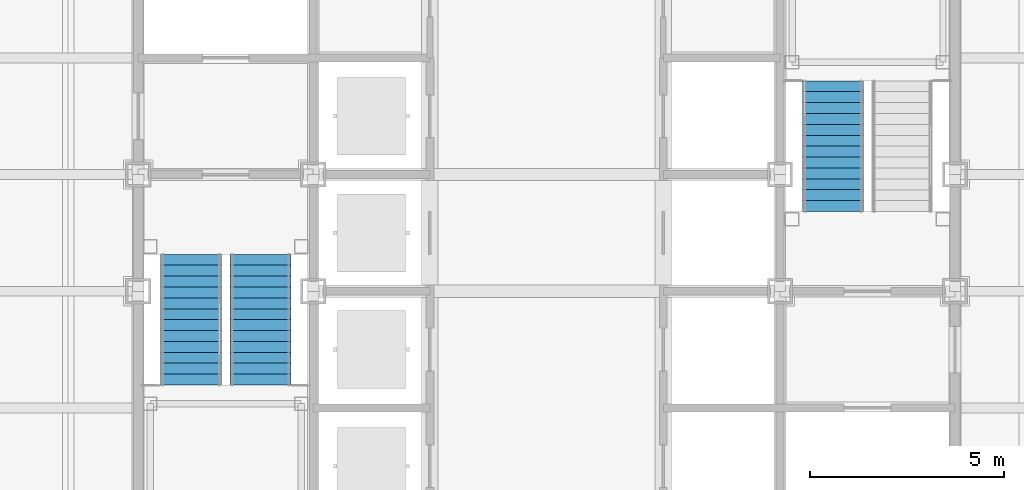
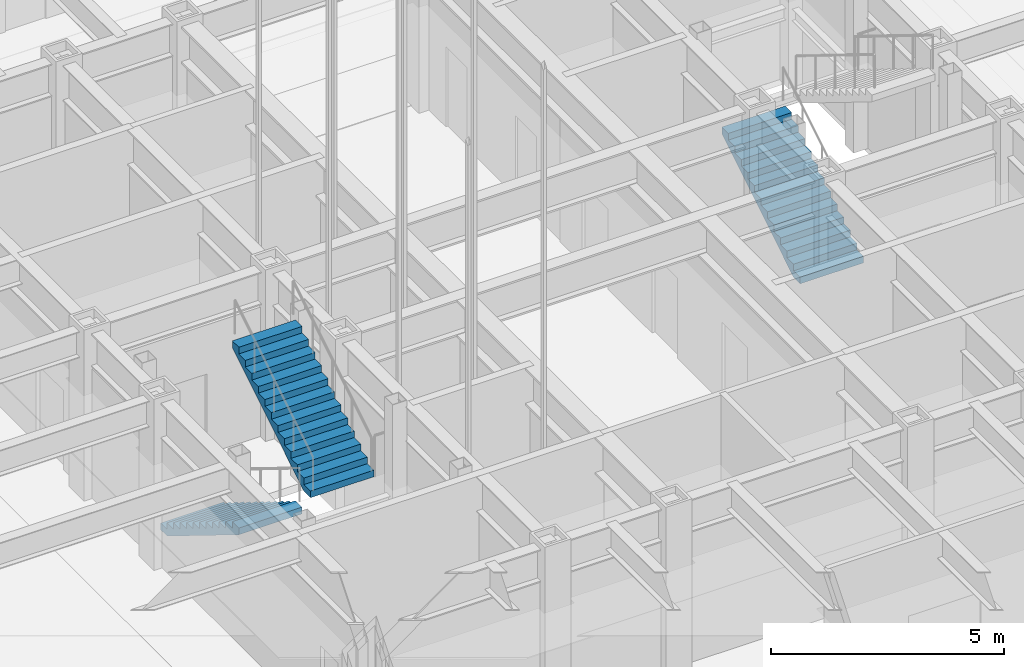
# One storey, part 12 of 24: 3 stair flights, 2 elements without a shape of their own.
"""IFC4 building model written with IfcOpenShell, lengths in metres."""

from ifc_helpers import new_model, si_unit, direction, frame, origin, place, context, subcontext, project, spatial, faceted_brep, material, type_object, element, aggregate, save


model = new_model("IFC4")

# Units and contexts
model_context = context("Model", 3, precision=1e-05, world=origin(), true_north=direction((0.0, 1.0)))
body_context = subcontext(model_context, "Body", "Model", "MODEL_VIEW")
ifc_project = project(units=[si_unit("LENGTHUNIT", "METRE"), si_unit("AREAUNIT", "SQUARE_METRE"), si_unit("VOLUMEUNIT", "CUBIC_METRE"), si_unit("PLANEANGLEUNIT", "RADIAN"), si_unit("MASSUNIT", "GRAM", prefix="KILO")], contexts=[model_context])

# Site, building, storey
site_placement = place(None, origin())
site = spatial("IfcSite", under=ifc_project, at=site_placement, CompositionType="ELEMENT")
building_placement = place(site_placement, origin())
building = spatial("IfcBuilding", under=site, at=building_placement, Name="Chuquiago Exchange Tower", CompositionType="ELEMENT")
storey_placement = place(building_placement, frame((0.0, 0.0, 180.0)))
storey = spatial("IfcBuildingStorey", under=building, at=storey_placement, Name="L39", CompositionType="ELEMENT", Elevation=180.0)

# Stair, stair flights
ifc_material_1 = material(Name="Concrete C30/37, precast", Category="concrete")
stair_type_1 = type_object("IfcStairType", Name="ST1 half-turn stair 4500", PredefinedType="HALF_TURN_STAIR", material=ifc_material_1)
stair_1_placement = place(storey_placement, origin())
stair_1 = element("IfcStair", 1, at=stair_1_placement, inside=storey, type_object=stair_type_1, Name="Stair ST1 L39", PredefinedType="HALF_TURN_STAIR")
ifc_material_2 = material(Name="Concrete C30/37, precast", Category="concrete")
stair_flight_type = type_object("IfcStairFlightType", Name="ST-F flight 1570 for 4500 storey", PredefinedType="STRAIGHT", material=ifc_material_2)
stair_flight_1_placement = place(storey_placement, frame((13.360107421875, 21.949951171875, 0.0), z_axis=(0.0, 0.0, 1.0), x_axis=(0.0, -1.0, 0.0)))
stair_flight_1 = element("IfcStairFlight", 2, at=stair_flight_1_placement, type_object=stair_flight_type, Name="ST1 flight 1", NumberOfRisers=13, NumberOfTreads=12, PredefinedType="STRAIGHT", RiserHeight=0.173076923, TreadLength=0.28, context=body_context, shape_type="Brep", body=[
    faceted_brep([(0.0, 0.78515625, 0.0), (0.0, 0.78515625, 0.173095703125), (0.280029296875, 0.78515625, 0.173095703125), (0.280029296875, 0.78515625, 0.34619140625), (0.56005859375, 0.78515625, 0.34619140625), (0.56005859375, 0.78515625, 0.519287109375), (0.840087890625, 0.78515625, 0.519287109375), (0.840087890625, 0.78515625, 0.6923828125), (1.1201171875, 0.78515625, 0.6923828125), (1.1201171875, 0.78515625, 0.865478515625), (1.39990234375, 0.78515625, 0.865478515625), (1.39990234375, 0.78515625, 1.03857421875), (1.679931640625, 0.78515625, 1.03857421875), (1.679931640625, 0.78515625, 1.21142578125), (1.9599609375, 0.78515625, 1.21142578125), (1.9599609375, 0.78515625, 1.384521484375), (2.239990234375, 0.78515625, 1.384521484375), (2.239990234375, 0.78515625, 1.5576171875), (2.52001953125, 0.78515625, 1.5576171875), (2.52001953125, 0.78515625, 1.730712890625), (2.800048828125, 0.78515625, 1.730712890625), (2.800048828125, 0.78515625, 1.90380859375), (3.080078125, 0.78515625, 1.90380859375), (3.080078125, 0.78515625, 2.076904296875), (3.360107421875, 0.78515625, 2.076904296875), (3.360107421875, 0.78515625, 1.900634765625), (0.28515625, 0.78515625, 0.0), (0.28515625, -0.78515625, 0.0), (3.360107421875, -0.78515625, 1.900634765625), (3.360107421875, -0.78515625, 2.076904296875), (3.080078125, -0.78515625, 2.076904296875), (3.080078125, -0.78515625, 1.90380859375), (2.800048828125, -0.78515625, 1.90380859375), (2.800048828125, -0.78515625, 1.730712890625), (2.52001953125, -0.78515625, 1.730712890625), (2.52001953125, -0.78515625, 1.5576171875), (2.239990234375, -0.78515625, 1.5576171875), (2.239990234375, -0.78515625, 1.384521484375), (1.9599609375, -0.78515625, 1.384521484375), (1.9599609375, -0.78515625, 1.21142578125), (1.679931640625, -0.78515625, 1.21142578125), (1.679931640625, -0.78515625, 1.03857421875), (1.39990234375, -0.78515625, 1.03857421875), (1.39990234375, -0.78515625, 0.865478515625), (1.1201171875, -0.78515625, 0.865478515625), (1.1201171875, -0.78515625, 0.6923828125), (0.840087890625, -0.78515625, 0.6923828125), (0.840087890625, -0.78515625, 0.519287109375), (0.56005859375, -0.78515625, 0.519287109375), (0.56005859375, -0.78515625, 0.34619140625), (0.280029296875, -0.78515625, 0.34619140625), (0.280029296875, -0.78515625, 0.173095703125), (0.0, -0.78515625, 0.173095703125), (0.0, -0.78515625, 0.0), (0.0, 0.392578125, 0.0), (0.0, 0.392578125, 0.173095703125), (0.0, 0.0, 0.0), (0.0, 0.0, 0.173095703125), (0.0, -0.392578125, 0.0), (0.0, -0.392578125, 0.173095703125), (0.280029296875, 0.392578125, 0.173095703125), (0.280029296875, 0.0, 0.173095703125), (0.280029296875, -0.392578125, 0.173095703125), (0.280029296875, 0.392578125, 0.34619140625), (0.280029296875, 0.0, 0.34619140625), (0.280029296875, -0.392578125, 0.34619140625), (0.56005859375, 0.392578125, 0.34619140625), (0.56005859375, 0.0, 0.34619140625), (0.56005859375, -0.392578125, 0.34619140625), (0.56005859375, 0.392578125, 0.519287109375), (0.56005859375, 0.0, 0.519287109375), (0.56005859375, -0.392578125, 0.519287109375), (0.840087890625, 0.392578125, 0.519287109375), (0.840087890625, 0.0, 0.519287109375), (0.840087890625, -0.392578125, 0.519287109375), (0.840087890625, 0.392578125, 0.6923828125), (0.840087890625, 0.0, 0.6923828125), (0.840087890625, -0.392578125, 0.6923828125), (1.1201171875, 0.392578125, 0.6923828125), (1.1201171875, 0.0, 0.6923828125), (1.1201171875, -0.392578125, 0.6923828125), (1.1201171875, 0.392578125, 0.865478515625), (1.1201171875, 0.0, 0.865478515625), (1.1201171875, -0.392578125, 0.865478515625), (1.39990234375, 0.392578125, 0.865478515625), (1.39990234375, 0.0, 0.865478515625), (1.39990234375, -0.392578125, 0.865478515625), (1.39990234375, 0.392578125, 1.03857421875), (1.39990234375, 0.0, 1.03857421875), (1.39990234375, -0.392578125, 1.03857421875), (1.679931640625, 0.392578125, 1.03857421875), (1.679931640625, 0.0, 1.03857421875), (1.679931640625, -0.392578125, 1.03857421875), (1.679931640625, 0.392578125, 1.21142578125), (1.679931640625, 0.0, 1.21142578125), (1.679931640625, -0.392578125, 1.21142578125), (1.9599609375, 0.392578125, 1.21142578125), (1.9599609375, 0.0, 1.21142578125), (1.9599609375, -0.392578125, 1.21142578125), (1.9599609375, 0.392578125, 1.384521484375), (1.9599609375, 0.0, 1.384521484375), (1.9599609375, -0.392578125, 1.384521484375), (2.239990234375, 0.392578125, 1.384521484375), (2.239990234375, 0.0, 1.384521484375), (2.239990234375, -0.392578125, 1.384521484375), (2.239990234375, 0.392578125, 1.5576171875), (2.239990234375, 0.0, 1.5576171875), (2.239990234375, -0.392578125, 1.5576171875), (2.52001953125, 0.392578125, 1.5576171875), (2.52001953125, 0.0, 1.5576171875), (2.52001953125, -0.392578125, 1.5576171875), (2.52001953125, 0.392578125, 1.730712890625), (2.52001953125, 0.0, 1.730712890625), (2.52001953125, -0.392578125, 1.730712890625), (2.800048828125, 0.392578125, 1.730712890625), (2.800048828125, 0.0, 1.730712890625), (2.800048828125, -0.392578125, 1.730712890625), (2.800048828125, 0.392578125, 1.90380859375), (2.800048828125, 0.0, 1.90380859375), (2.800048828125, -0.392578125, 1.90380859375), (3.080078125, 0.392578125, 1.90380859375), (3.080078125, 0.0, 1.90380859375), (3.080078125, -0.392578125, 1.90380859375), (3.080078125, 0.392578125, 2.076904296875), (3.080078125, 0.0, 2.076904296875), (3.080078125, -0.392578125, 2.076904296875), (3.360107421875, 0.392578125, 2.076904296875), (3.360107421875, 0.0, 2.076904296875), (3.360107421875, -0.392578125, 2.076904296875), (3.360107421875, 0.392578125, 1.900634765625), (3.360107421875, 0.0, 1.900634765625), (3.360107421875, -0.392578125, 1.900634765625), (0.28515625, 0.392578125, 0.0), (0.28515625, 0.0, 0.0), (0.28515625, -0.392578125, 0.0)], [[[0, 1, 2, 3, 4, 5, 6, 7, 8, 9, 10, 11, 12, 13, 14, 15, 16, 17, 18, 19, 20, 21, 22, 23, 24, 25, 26]], [[27, 28, 29, 30, 31, 32, 33, 34, 35, 36, 37, 38, 39, 40, 41, 42, 43, 44, 45, 46, 47, 48, 49, 50, 51, 52, 53]], [[1, 0, 54, 55]], [[55, 54, 56, 57]], [[57, 56, 58, 59]], [[59, 58, 53, 52]], [[2, 1, 55, 60]], [[60, 55, 57, 61]], [[61, 57, 59, 62]], [[62, 59, 52, 51]], [[3, 2, 60, 63]], [[63, 60, 61, 64]], [[64, 61, 62, 65]], [[65, 62, 51, 50]], [[4, 3, 63, 66]], [[66, 63, 64, 67]], [[67, 64, 65, 68]], [[68, 65, 50, 49]], [[5, 4, 66, 69]], [[69, 66, 67, 70]], [[70, 67, 68, 71]], [[71, 68, 49, 48]], [[6, 5, 69, 72]], [[72, 69, 70, 73]], [[73, 70, 71, 74]], [[74, 71, 48, 47]], [[7, 6, 72, 75]], [[75, 72, 73, 76]], [[76, 73, 74, 77]], [[77, 74, 47, 46]], [[8, 7, 75, 78]], [[78, 75, 76, 79]], [[79, 76, 77, 80]], [[80, 77, 46, 45]], [[9, 8, 78, 81]], [[81, 78, 79, 82]], [[82, 79, 80, 83]], [[83, 80, 45, 44]], [[10, 9, 81, 84]], [[84, 81, 82, 85]], [[85, 82, 83, 86]], [[86, 83, 44, 43]], [[11, 10, 84, 87]], [[87, 84, 85, 88]], [[88, 85, 86, 89]], [[89, 86, 43, 42]], [[12, 11, 87, 90]], [[90, 87, 88, 91]], [[91, 88, 89, 92]], [[92, 89, 42, 41]], [[13, 12, 90, 93]], [[93, 90, 91, 94]], [[94, 91, 92, 95]], [[95, 92, 41, 40]], [[14, 13, 93, 96]], [[96, 93, 94, 97]], [[97, 94, 95, 98]], [[98, 95, 40, 39]], [[15, 14, 96, 99]], [[99, 96, 97, 100]], [[100, 97, 98, 101]], [[101, 98, 39, 38]], [[16, 15, 99, 102]], [[102, 99, 100, 103]], [[103, 100, 101, 104]], [[104, 101, 38, 37]], [[17, 16, 102, 105]], [[105, 102, 103, 106]], [[106, 103, 104, 107]], [[107, 104, 37, 36]], [[18, 17, 105, 108]], [[108, 105, 106, 109]], [[109, 106, 107, 110]], [[110, 107, 36, 35]], [[19, 18, 108, 111]], [[111, 108, 109, 112]], [[112, 109, 110, 113]], [[113, 110, 35, 34]], [[20, 19, 111, 114]], [[114, 111, 112, 115]], [[115, 112, 113, 116]], [[116, 113, 34, 33]], [[21, 20, 114, 117]], [[117, 114, 115, 118]], [[118, 115, 116, 119]], [[119, 116, 33, 32]], [[22, 21, 117, 120]], [[120, 117, 118, 121]], [[121, 118, 119, 122]], [[122, 119, 32, 31]], [[23, 22, 120, 123]], [[123, 120, 121, 124]], [[124, 121, 122, 125]], [[125, 122, 31, 30]], [[24, 23, 123, 126]], [[126, 123, 124, 127]], [[127, 124, 125, 128]], [[128, 125, 30, 29]], [[25, 24, 126, 129]], [[129, 126, 127, 130]], [[130, 127, 128, 131]], [[131, 128, 29, 28]], [[26, 25, 129, 132]], [[132, 129, 130, 133]], [[133, 130, 131, 134]], [[134, 131, 28, 27]], [[0, 26, 132, 54]], [[54, 132, 133, 56]], [[56, 133, 134, 58]], [[58, 134, 27, 53]]]),
])
stair_flight_2_placement = place(storey_placement, frame((15.139892578125, 18.590087890625, 2.25), z_axis=(0.0, 0.0, 1.0), x_axis=(0.0, 1.0, 0.0)))
stair_flight_2 = element("IfcStairFlight", 3, at=stair_flight_2_placement, type_object=stair_flight_type, Name="ST1 flight 2", NumberOfRisers=13, NumberOfTreads=12, PredefinedType="STRAIGHT", RiserHeight=0.173076923, TreadLength=0.28, context=body_context, shape_type="Brep", body=[
    faceted_brep([(0.0, 0.78515625, 0.0), (0.0, 0.78515625, 0.173095703125), (0.280029296875, 0.78515625, 0.173095703125), (0.280029296875, 0.78515625, 0.34619140625), (0.56005859375, 0.78515625, 0.34619140625), (0.56005859375, 0.78515625, 0.519287109375), (0.840087890625, 0.78515625, 0.519287109375), (0.840087890625, 0.78515625, 0.6923828125), (1.1201171875, 0.78515625, 0.6923828125), (1.1201171875, 0.78515625, 0.865478515625), (1.39990234375, 0.78515625, 0.865478515625), (1.39990234375, 0.78515625, 1.03857421875), (1.679931640625, 0.78515625, 1.03857421875), (1.679931640625, 0.78515625, 1.21142578125), (1.9599609375, 0.78515625, 1.21142578125), (1.9599609375, 0.78515625, 1.384521484375), (2.239990234375, 0.78515625, 1.384521484375), (2.239990234375, 0.78515625, 1.5576171875), (2.52001953125, 0.78515625, 1.5576171875), (2.52001953125, 0.78515625, 1.730712890625), (2.800048828125, 0.78515625, 1.730712890625), (2.800048828125, 0.78515625, 1.90380859375), (3.080078125, 0.78515625, 1.90380859375), (3.080078125, 0.78515625, 2.076904296875), (3.360107421875, 0.78515625, 2.076904296875), (3.360107421875, 0.78515625, 1.900634765625), (0.28515625, 0.78515625, 0.0), (0.28515625, -0.78515625, 0.0), (3.360107421875, -0.78515625, 1.900634765625), (3.360107421875, -0.78515625, 2.076904296875), (3.080078125, -0.78515625, 2.076904296875), (3.080078125, -0.78515625, 1.90380859375), (2.800048828125, -0.78515625, 1.90380859375), (2.800048828125, -0.78515625, 1.730712890625), (2.52001953125, -0.78515625, 1.730712890625), (2.52001953125, -0.78515625, 1.5576171875), (2.239990234375, -0.78515625, 1.5576171875), (2.239990234375, -0.78515625, 1.384521484375), (1.9599609375, -0.78515625, 1.384521484375), (1.9599609375, -0.78515625, 1.21142578125), (1.679931640625, -0.78515625, 1.21142578125), (1.679931640625, -0.78515625, 1.03857421875), (1.39990234375, -0.78515625, 1.03857421875), (1.39990234375, -0.78515625, 0.865478515625), (1.1201171875, -0.78515625, 0.865478515625), (1.1201171875, -0.78515625, 0.6923828125), (0.840087890625, -0.78515625, 0.6923828125), (0.840087890625, -0.78515625, 0.519287109375), (0.56005859375, -0.78515625, 0.519287109375), (0.56005859375, -0.78515625, 0.34619140625), (0.280029296875, -0.78515625, 0.34619140625), (0.280029296875, -0.78515625, 0.173095703125), (0.0, -0.78515625, 0.173095703125), (0.0, -0.78515625, 0.0), (0.0, 0.392578125, 0.0), (0.0, 0.392578125, 0.173095703125), (0.0, 0.0, 0.0), (0.0, 0.0, 0.173095703125), (0.0, -0.392578125, 0.0), (0.0, -0.392578125, 0.173095703125), (0.280029296875, 0.392578125, 0.173095703125), (0.280029296875, 0.0, 0.173095703125), (0.280029296875, -0.392578125, 0.173095703125), (0.280029296875, 0.392578125, 0.34619140625), (0.280029296875, 0.0, 0.34619140625), (0.280029296875, -0.392578125, 0.34619140625), (0.56005859375, 0.392578125, 0.34619140625), (0.56005859375, 0.0, 0.34619140625), (0.56005859375, -0.392578125, 0.34619140625), (0.56005859375, 0.392578125, 0.519287109375), (0.56005859375, 0.0, 0.519287109375), (0.56005859375, -0.392578125, 0.519287109375), (0.840087890625, 0.392578125, 0.519287109375), (0.840087890625, 0.0, 0.519287109375), (0.840087890625, -0.392578125, 0.519287109375), (0.840087890625, 0.392578125, 0.6923828125), (0.840087890625, 0.0, 0.6923828125), (0.840087890625, -0.392578125, 0.6923828125), (1.1201171875, 0.392578125, 0.6923828125), (1.1201171875, 0.0, 0.6923828125), (1.1201171875, -0.392578125, 0.6923828125), (1.1201171875, 0.392578125, 0.865478515625), (1.1201171875, 0.0, 0.865478515625), (1.1201171875, -0.392578125, 0.865478515625), (1.39990234375, 0.392578125, 0.865478515625), (1.39990234375, 0.0, 0.865478515625), (1.39990234375, -0.392578125, 0.865478515625), (1.39990234375, 0.392578125, 1.03857421875), (1.39990234375, 0.0, 1.03857421875), (1.39990234375, -0.392578125, 1.03857421875), (1.679931640625, 0.392578125, 1.03857421875), (1.679931640625, 0.0, 1.03857421875), (1.679931640625, -0.392578125, 1.03857421875), (1.679931640625, 0.392578125, 1.21142578125), (1.679931640625, 0.0, 1.21142578125), (1.679931640625, -0.392578125, 1.21142578125), (1.9599609375, 0.392578125, 1.21142578125), (1.9599609375, 0.0, 1.21142578125), (1.9599609375, -0.392578125, 1.21142578125), (1.9599609375, 0.392578125, 1.384521484375), (1.9599609375, 0.0, 1.384521484375), (1.9599609375, -0.392578125, 1.384521484375), (2.239990234375, 0.392578125, 1.384521484375), (2.239990234375, 0.0, 1.384521484375), (2.239990234375, -0.392578125, 1.384521484375), (2.239990234375, 0.392578125, 1.5576171875), (2.239990234375, 0.0, 1.5576171875), (2.239990234375, -0.392578125, 1.5576171875), (2.52001953125, 0.392578125, 1.5576171875), (2.52001953125, 0.0, 1.5576171875), (2.52001953125, -0.392578125, 1.5576171875), (2.52001953125, 0.392578125, 1.730712890625), (2.52001953125, 0.0, 1.730712890625), (2.52001953125, -0.392578125, 1.730712890625), (2.800048828125, 0.392578125, 1.730712890625), (2.800048828125, 0.0, 1.730712890625), (2.800048828125, -0.392578125, 1.730712890625), (2.800048828125, 0.392578125, 1.90380859375), (2.800048828125, 0.0, 1.90380859375), (2.800048828125, -0.392578125, 1.90380859375), (3.080078125, 0.392578125, 1.90380859375), (3.080078125, 0.0, 1.90380859375), (3.080078125, -0.392578125, 1.90380859375), (3.080078125, 0.392578125, 2.076904296875), (3.080078125, 0.0, 2.076904296875), (3.080078125, -0.392578125, 2.076904296875), (3.360107421875, 0.392578125, 2.076904296875), (3.360107421875, 0.0, 2.076904296875), (3.360107421875, -0.392578125, 2.076904296875), (3.360107421875, 0.392578125, 1.900634765625), (3.360107421875, 0.0, 1.900634765625), (3.360107421875, -0.392578125, 1.900634765625), (0.28515625, 0.392578125, 0.0), (0.28515625, 0.0, 0.0), (0.28515625, -0.392578125, 0.0)], [[[0, 1, 2, 3, 4, 5, 6, 7, 8, 9, 10, 11, 12, 13, 14, 15, 16, 17, 18, 19, 20, 21, 22, 23, 24, 25, 26]], [[27, 28, 29, 30, 31, 32, 33, 34, 35, 36, 37, 38, 39, 40, 41, 42, 43, 44, 45, 46, 47, 48, 49, 50, 51, 52, 53]], [[1, 0, 54, 55]], [[55, 54, 56, 57]], [[57, 56, 58, 59]], [[59, 58, 53, 52]], [[2, 1, 55, 60]], [[60, 55, 57, 61]], [[61, 57, 59, 62]], [[62, 59, 52, 51]], [[3, 2, 60, 63]], [[63, 60, 61, 64]], [[64, 61, 62, 65]], [[65, 62, 51, 50]], [[4, 3, 63, 66]], [[66, 63, 64, 67]], [[67, 64, 65, 68]], [[68, 65, 50, 49]], [[5, 4, 66, 69]], [[69, 66, 67, 70]], [[70, 67, 68, 71]], [[71, 68, 49, 48]], [[6, 5, 69, 72]], [[72, 69, 70, 73]], [[73, 70, 71, 74]], [[74, 71, 48, 47]], [[7, 6, 72, 75]], [[75, 72, 73, 76]], [[76, 73, 74, 77]], [[77, 74, 47, 46]], [[8, 7, 75, 78]], [[78, 75, 76, 79]], [[79, 76, 77, 80]], [[80, 77, 46, 45]], [[9, 8, 78, 81]], [[81, 78, 79, 82]], [[82, 79, 80, 83]], [[83, 80, 45, 44]], [[10, 9, 81, 84]], [[84, 81, 82, 85]], [[85, 82, 83, 86]], [[86, 83, 44, 43]], [[11, 10, 84, 87]], [[87, 84, 85, 88]], [[88, 85, 86, 89]], [[89, 86, 43, 42]], [[12, 11, 87, 90]], [[90, 87, 88, 91]], [[91, 88, 89, 92]], [[92, 89, 42, 41]], [[13, 12, 90, 93]], [[93, 90, 91, 94]], [[94, 91, 92, 95]], [[95, 92, 41, 40]], [[14, 13, 93, 96]], [[96, 93, 94, 97]], [[97, 94, 95, 98]], [[98, 95, 40, 39]], [[15, 14, 96, 99]], [[99, 96, 97, 100]], [[100, 97, 98, 101]], [[101, 98, 39, 38]], [[16, 15, 99, 102]], [[102, 99, 100, 103]], [[103, 100, 101, 104]], [[104, 101, 38, 37]], [[17, 16, 102, 105]], [[105, 102, 103, 106]], [[106, 103, 104, 107]], [[107, 104, 37, 36]], [[18, 17, 105, 108]], [[108, 105, 106, 109]], [[109, 106, 107, 110]], [[110, 107, 36, 35]], [[19, 18, 108, 111]], [[111, 108, 109, 112]], [[112, 109, 110, 113]], [[113, 110, 35, 34]], [[20, 19, 111, 114]], [[114, 111, 112, 115]], [[115, 112, 113, 116]], [[116, 113, 34, 33]], [[21, 20, 114, 117]], [[117, 114, 115, 118]], [[118, 115, 116, 119]], [[119, 116, 33, 32]], [[22, 21, 117, 120]], [[120, 117, 118, 121]], [[121, 118, 119, 122]], [[122, 119, 32, 31]], [[23, 22, 120, 123]], [[123, 120, 121, 124]], [[124, 121, 122, 125]], [[125, 122, 31, 30]], [[24, 23, 123, 126]], [[126, 123, 124, 127]], [[127, 124, 125, 128]], [[128, 125, 30, 29]], [[25, 24, 126, 129]], [[129, 126, 127, 130]], [[130, 127, 128, 131]], [[131, 128, 29, 28]], [[26, 25, 129, 132]], [[132, 129, 130, 133]], [[133, 130, 131, 134]], [[134, 131, 28, 27]], [[0, 26, 132, 54]], [[54, 132, 133, 56]], [[56, 133, 134, 58]], [[58, 134, 27, 53]]]),
])
aggregate(stair_1, [stair_flight_1, stair_flight_2])

# Stair, stair flight
ifc_material_3 = material(Name="Concrete C30/37, precast", Category="concrete")
stair_type_2 = type_object("IfcStairType", Name="ST2 half-turn stair 4500", PredefinedType="HALF_TURN_STAIR", material=ifc_material_3)
stair_2_placement = place(storey_placement, origin())
stair_2 = element("IfcStair", 4, at=stair_2_placement, inside=storey, type_object=stair_type_2, Name="Stair ST2 L39", PredefinedType="HALF_TURN_STAIR")
stair_flight_3_placement = place(storey_placement, frame((29.860107421875, 23.050048828125, 0.0), z_axis=(0.0, 0.0, 1.0), x_axis=(0.0, 1.0, 0.0)))
stair_flight_3 = element("IfcStairFlight", 5, at=stair_flight_3_placement, type_object=stair_flight_type, Name="ST2 flight 1", NumberOfRisers=13, NumberOfTreads=12, PredefinedType="STRAIGHT", RiserHeight=0.173076923, TreadLength=0.28, context=body_context, shape_type="Brep", body=[
    faceted_brep([(0.0, 0.78515625, 0.0), (0.0, 0.78515625, 0.173095703125), (0.280029296875, 0.78515625, 0.173095703125), (0.280029296875, 0.78515625, 0.34619140625), (0.56005859375, 0.78515625, 0.34619140625), (0.56005859375, 0.78515625, 0.519287109375), (0.840087890625, 0.78515625, 0.519287109375), (0.840087890625, 0.78515625, 0.6923828125), (1.1201171875, 0.78515625, 0.6923828125), (1.1201171875, 0.78515625, 0.865478515625), (1.39990234375, 0.78515625, 0.865478515625), (1.39990234375, 0.78515625, 1.03857421875), (1.679931640625, 0.78515625, 1.03857421875), (1.679931640625, 0.78515625, 1.21142578125), (1.9599609375, 0.78515625, 1.21142578125), (1.9599609375, 0.78515625, 1.384521484375), (2.239990234375, 0.78515625, 1.384521484375), (2.239990234375, 0.78515625, 1.5576171875), (2.52001953125, 0.78515625, 1.5576171875), (2.52001953125, 0.78515625, 1.730712890625), (2.800048828125, 0.78515625, 1.730712890625), (2.800048828125, 0.78515625, 1.90380859375), (3.080078125, 0.78515625, 1.90380859375), (3.080078125, 0.78515625, 2.076904296875), (3.360107421875, 0.78515625, 2.076904296875), (3.360107421875, 0.78515625, 1.900634765625), (0.28515625, 0.78515625, 0.0), (0.28515625, -0.78515625, 0.0), (3.360107421875, -0.78515625, 1.900634765625), (3.360107421875, -0.78515625, 2.076904296875), (3.080078125, -0.78515625, 2.076904296875), (3.080078125, -0.78515625, 1.90380859375), (2.800048828125, -0.78515625, 1.90380859375), (2.800048828125, -0.78515625, 1.730712890625), (2.52001953125, -0.78515625, 1.730712890625), (2.52001953125, -0.78515625, 1.5576171875), (2.239990234375, -0.78515625, 1.5576171875), (2.239990234375, -0.78515625, 1.384521484375), (1.9599609375, -0.78515625, 1.384521484375), (1.9599609375, -0.78515625, 1.21142578125), (1.679931640625, -0.78515625, 1.21142578125), (1.679931640625, -0.78515625, 1.03857421875), (1.39990234375, -0.78515625, 1.03857421875), (1.39990234375, -0.78515625, 0.865478515625), (1.1201171875, -0.78515625, 0.865478515625), (1.1201171875, -0.78515625, 0.6923828125), (0.840087890625, -0.78515625, 0.6923828125), (0.840087890625, -0.78515625, 0.519287109375), (0.56005859375, -0.78515625, 0.519287109375), (0.56005859375, -0.78515625, 0.34619140625), (0.280029296875, -0.78515625, 0.34619140625), (0.280029296875, -0.78515625, 0.173095703125), (0.0, -0.78515625, 0.173095703125), (0.0, -0.78515625, 0.0), (0.0, 0.392578125, 0.0), (0.0, 0.392578125, 0.173095703125), (0.0, 0.0, 0.0), (0.0, 0.0, 0.173095703125), (0.0, -0.392578125, 0.0), (0.0, -0.392578125, 0.173095703125), (0.280029296875, 0.392578125, 0.173095703125), (0.280029296875, 0.0, 0.173095703125), (0.280029296875, -0.392578125, 0.173095703125), (0.280029296875, 0.392578125, 0.34619140625), (0.280029296875, 0.0, 0.34619140625), (0.280029296875, -0.392578125, 0.34619140625), (0.56005859375, 0.392578125, 0.34619140625), (0.56005859375, 0.0, 0.34619140625), (0.56005859375, -0.392578125, 0.34619140625), (0.56005859375, 0.392578125, 0.519287109375), (0.56005859375, 0.0, 0.519287109375), (0.56005859375, -0.392578125, 0.519287109375), (0.840087890625, 0.392578125, 0.519287109375), (0.840087890625, 0.0, 0.519287109375), (0.840087890625, -0.392578125, 0.519287109375), (0.840087890625, 0.392578125, 0.6923828125), (0.840087890625, 0.0, 0.6923828125), (0.840087890625, -0.392578125, 0.6923828125), (1.1201171875, 0.392578125, 0.6923828125), (1.1201171875, 0.0, 0.6923828125), (1.1201171875, -0.392578125, 0.6923828125), (1.1201171875, 0.392578125, 0.865478515625), (1.1201171875, 0.0, 0.865478515625), (1.1201171875, -0.392578125, 0.865478515625), (1.39990234375, 0.392578125, 0.865478515625), (1.39990234375, 0.0, 0.865478515625), (1.39990234375, -0.392578125, 0.865478515625), (1.39990234375, 0.392578125, 1.03857421875), (1.39990234375, 0.0, 1.03857421875), (1.39990234375, -0.392578125, 1.03857421875), (1.679931640625, 0.392578125, 1.03857421875), (1.679931640625, 0.0, 1.03857421875), (1.679931640625, -0.392578125, 1.03857421875), (1.679931640625, 0.392578125, 1.21142578125), (1.679931640625, 0.0, 1.21142578125), (1.679931640625, -0.392578125, 1.21142578125), (1.9599609375, 0.392578125, 1.21142578125), (1.9599609375, 0.0, 1.21142578125), (1.9599609375, -0.392578125, 1.21142578125), (1.9599609375, 0.392578125, 1.384521484375), (1.9599609375, 0.0, 1.384521484375), (1.9599609375, -0.392578125, 1.384521484375), (2.239990234375, 0.392578125, 1.384521484375), (2.239990234375, 0.0, 1.384521484375), (2.239990234375, -0.392578125, 1.384521484375), (2.239990234375, 0.392578125, 1.5576171875), (2.239990234375, 0.0, 1.5576171875), (2.239990234375, -0.392578125, 1.5576171875), (2.52001953125, 0.392578125, 1.5576171875), (2.52001953125, 0.0, 1.5576171875), (2.52001953125, -0.392578125, 1.5576171875), (2.52001953125, 0.392578125, 1.730712890625), (2.52001953125, 0.0, 1.730712890625), (2.52001953125, -0.392578125, 1.730712890625), (2.800048828125, 0.392578125, 1.730712890625), (2.800048828125, 0.0, 1.730712890625), (2.800048828125, -0.392578125, 1.730712890625), (2.800048828125, 0.392578125, 1.90380859375), (2.800048828125, 0.0, 1.90380859375), (2.800048828125, -0.392578125, 1.90380859375), (3.080078125, 0.392578125, 1.90380859375), (3.080078125, 0.0, 1.90380859375), (3.080078125, -0.392578125, 1.90380859375), (3.080078125, 0.392578125, 2.076904296875), (3.080078125, 0.0, 2.076904296875), (3.080078125, -0.392578125, 2.076904296875), (3.360107421875, 0.392578125, 2.076904296875), (3.360107421875, 0.0, 2.076904296875), (3.360107421875, -0.392578125, 2.076904296875), (3.360107421875, 0.392578125, 1.900634765625), (3.360107421875, 0.0, 1.900634765625), (3.360107421875, -0.392578125, 1.900634765625), (0.28515625, 0.392578125, 0.0), (0.28515625, 0.0, 0.0), (0.28515625, -0.392578125, 0.0)], [[[0, 1, 2, 3, 4, 5, 6, 7, 8, 9, 10, 11, 12, 13, 14, 15, 16, 17, 18, 19, 20, 21, 22, 23, 24, 25, 26]], [[27, 28, 29, 30, 31, 32, 33, 34, 35, 36, 37, 38, 39, 40, 41, 42, 43, 44, 45, 46, 47, 48, 49, 50, 51, 52, 53]], [[1, 0, 54, 55]], [[55, 54, 56, 57]], [[57, 56, 58, 59]], [[59, 58, 53, 52]], [[2, 1, 55, 60]], [[60, 55, 57, 61]], [[61, 57, 59, 62]], [[62, 59, 52, 51]], [[3, 2, 60, 63]], [[63, 60, 61, 64]], [[64, 61, 62, 65]], [[65, 62, 51, 50]], [[4, 3, 63, 66]], [[66, 63, 64, 67]], [[67, 64, 65, 68]], [[68, 65, 50, 49]], [[5, 4, 66, 69]], [[69, 66, 67, 70]], [[70, 67, 68, 71]], [[71, 68, 49, 48]], [[6, 5, 69, 72]], [[72, 69, 70, 73]], [[73, 70, 71, 74]], [[74, 71, 48, 47]], [[7, 6, 72, 75]], [[75, 72, 73, 76]], [[76, 73, 74, 77]], [[77, 74, 47, 46]], [[8, 7, 75, 78]], [[78, 75, 76, 79]], [[79, 76, 77, 80]], [[80, 77, 46, 45]], [[9, 8, 78, 81]], [[81, 78, 79, 82]], [[82, 79, 80, 83]], [[83, 80, 45, 44]], [[10, 9, 81, 84]], [[84, 81, 82, 85]], [[85, 82, 83, 86]], [[86, 83, 44, 43]], [[11, 10, 84, 87]], [[87, 84, 85, 88]], [[88, 85, 86, 89]], [[89, 86, 43, 42]], [[12, 11, 87, 90]], [[90, 87, 88, 91]], [[91, 88, 89, 92]], [[92, 89, 42, 41]], [[13, 12, 90, 93]], [[93, 90, 91, 94]], [[94, 91, 92, 95]], [[95, 92, 41, 40]], [[14, 13, 93, 96]], [[96, 93, 94, 97]], [[97, 94, 95, 98]], [[98, 95, 40, 39]], [[15, 14, 96, 99]], [[99, 96, 97, 100]], [[100, 97, 98, 101]], [[101, 98, 39, 38]], [[16, 15, 99, 102]], [[102, 99, 100, 103]], [[103, 100, 101, 104]], [[104, 101, 38, 37]], [[17, 16, 102, 105]], [[105, 102, 103, 106]], [[106, 103, 104, 107]], [[107, 104, 37, 36]], [[18, 17, 105, 108]], [[108, 105, 106, 109]], [[109, 106, 107, 110]], [[110, 107, 36, 35]], [[19, 18, 108, 111]], [[111, 108, 109, 112]], [[112, 109, 110, 113]], [[113, 110, 35, 34]], [[20, 19, 111, 114]], [[114, 111, 112, 115]], [[115, 112, 113, 116]], [[116, 113, 34, 33]], [[21, 20, 114, 117]], [[117, 114, 115, 118]], [[118, 115, 116, 119]], [[119, 116, 33, 32]], [[22, 21, 117, 120]], [[120, 117, 118, 121]], [[121, 118, 119, 122]], [[122, 119, 32, 31]], [[23, 22, 120, 123]], [[123, 120, 121, 124]], [[124, 121, 122, 125]], [[125, 122, 31, 30]], [[24, 23, 123, 126]], [[126, 123, 124, 127]], [[127, 124, 125, 128]], [[128, 125, 30, 29]], [[25, 24, 126, 129]], [[129, 126, 127, 130]], [[130, 127, 128, 131]], [[131, 128, 29, 28]], [[26, 25, 129, 132]], [[132, 129, 130, 133]], [[133, 130, 131, 134]], [[134, 131, 28, 27]], [[0, 26, 132, 54]], [[54, 132, 133, 56]], [[56, 133, 134, 58]], [[58, 134, 27, 53]]]),
])
aggregate(stair_2, [stair_flight_3])

save(model, "model.ifc")
